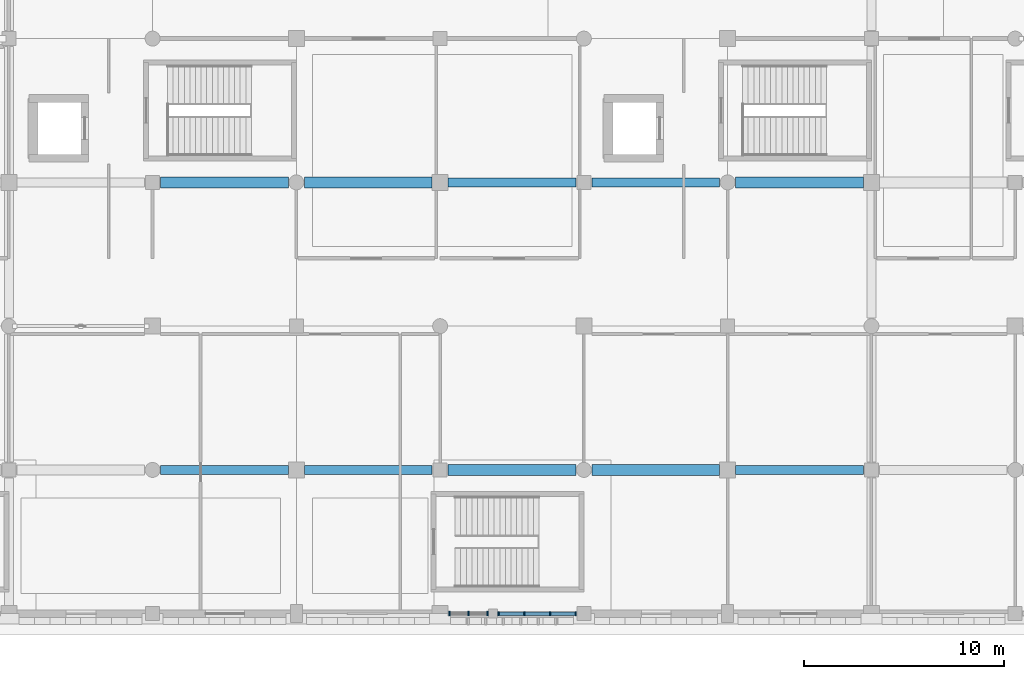
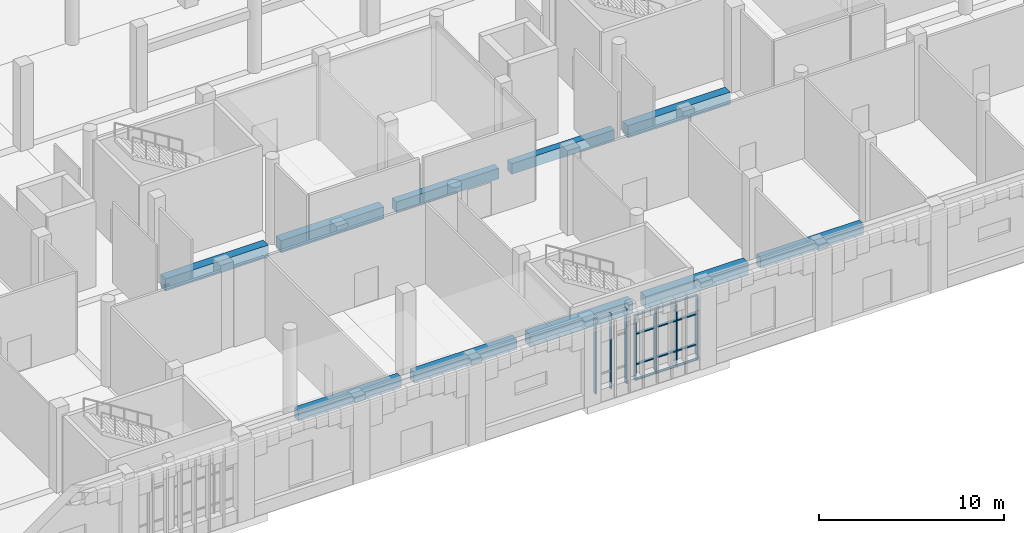
# One storey, part 10 of 85: 19 members, 10 beams, 2 elements without a shape of their own.
"""IFC4 building model written with IfcOpenShell, lengths in metres."""

from ifc_helpers import new_model, si_unit, direction, frame, origin, origin_2d, place, context, subcontext, project, spatial, rectangle, extrude, material, material_profile, profile_set, type_object, element, aggregate, save


model = new_model("IFC4")

# Units and contexts
model_context = context("Model", 3, precision=1e-05, world=origin(), true_north=direction((0.0, 1.0)))
body_context = subcontext(model_context, "Body", "Model", "MODEL_VIEW")
ifc_project = project(units=[si_unit("LENGTHUNIT", "METRE"), si_unit("AREAUNIT", "SQUARE_METRE"), si_unit("VOLUMEUNIT", "CUBIC_METRE"), si_unit("PLANEANGLEUNIT", "RADIAN"), si_unit("MASSUNIT", "GRAM", prefix="KILO")], contexts=[model_context])

# Site, building, storey
site_placement = place(None, origin())
site = spatial("IfcSite", under=ifc_project, at=site_placement, CompositionType="ELEMENT")
building_placement = place(site_placement, origin())
building = spatial("IfcBuilding", under=site, at=building_placement, Name="Sardonyx Promenade Sports Hall", CompositionType="ELEMENT")
storey_placement = place(building_placement, origin())
storey = spatial("IfcBuildingStorey", under=building, at=storey_placement, Name="L00", CompositionType="ELEMENT", Elevation=0.0)

# Beams
ifc_material_1 = material(Name="Concrete C40/50", Category="concrete")
ifc_material_profile_1 = material_profile(ifc_material_1, rectangle(XDim=0.550048828125, YDim=0.800048828125, at=origin_2d()))
ifc_profile_set_1 = profile_set([ifc_material_profile_1], Name="Concrete C40/50")
beam_type_1 = type_object("IfcBeamType", Name="Bm_Girder_RC800", PredefinedType="BEAM", material=ifc_profile_set_1)
for number, where, z_axis, x_axis, name in (
    (1, (43.60009765625, 7.199951171875, -0.39990234375), (1.0, 0.0, 0.0), (0.0, 1.0, 0.0), "Beam BG04 L00 #60"),
    (2, (50.800048828125, 7.199951171875, -0.39990234375), (1.0, 0.0, 0.0), (0.0, 1.0, 0.0), "Beam BG04 L00 #61"),
):
    element("IfcBeam", number, at=place(storey_placement, frame(where, z_axis=z_axis, x_axis=x_axis)), inside=storey, type_object=beam_type_1, Name=name, PredefinedType="BEAM", context=body_context, shape_type="SweptSolid", body=[
        extrude(rectangle(XDim=0.550048828125, YDim=0.800048828125, at=origin_2d()), origin(), (0.0, 0.0, 1.0), 6.39990234375),
    ])
for number, where, z_axis, x_axis, name in (
    (3, (29.199951171875, 21.60009765625, -0.39990234375), (1.0, 0.0, 0.0), (0.0, 1.0, 0.0), "Beam BG04 L00 #81"),
    (4, (36.39990234375, 21.60009765625, -0.39990234375), (1.0, 0.0, 0.0), (0.0, 1.0, 0.0), "Beam BG04 L00 #82"),
):
    element("IfcBeam", number, at=place(storey_placement, frame(where, z_axis=z_axis, x_axis=x_axis)), inside=storey, type_object=beam_type_1, Name=name, PredefinedType="BEAM", context=body_context, shape_type="SweptSolid", body=[
        extrude(rectangle(XDim=0.550048828125, YDim=0.800048828125, at=origin_2d()), origin(), (0.0, 0.0, 1.0), 6.400146484375),
    ])
beam_placement = place(storey_placement, frame((58.0, 21.60009765625, -0.39990234375), z_axis=(1.0, 0.0, 0.0), x_axis=(0.0, 1.0, 0.0)))
element("IfcBeam", 5, at=beam_placement, inside=storey, type_object=beam_type_1, Name="Beam BG04 L00 #85", PredefinedType="BEAM", context=body_context, shape_type="SweptSolid", body=[
    extrude(rectangle(XDim=0.550048828125, YDim=0.800048828125, at=origin_2d()), origin(), (0.0, 0.0, 1.0), 6.39990234375),
])
ifc_material_2 = material(Name="Concrete C40/50", Category="concrete")
ifc_material_profile_2 = material_profile(ifc_material_2, rectangle(XDim=0.449951171875, YDim=0.699951171875, at=origin_2d()))
ifc_profile_set_2 = profile_set([ifc_material_profile_2], Name="Concrete C40/50")
beam_type_2 = type_object("IfcBeamType", Name="Bm_Primary_RC700", PredefinedType="BEAM", material=ifc_profile_set_2)
for number, where, z_axis, x_axis, name in (
    (6, (29.199951171875, 7.199951171875, -0.35009765625), (1.0, 0.0, 0.0), (0.0, 1.0, 0.0), "Beam BG01 L00 #58"),
    (7, (36.39990234375, 7.199951171875, -0.35009765625), (1.0, 0.0, 0.0), (0.0, 1.0, 0.0), "Beam BG01 L00 #59"),
):
    element("IfcBeam", number, at=place(storey_placement, frame(where, z_axis=z_axis, x_axis=x_axis)), inside=storey, type_object=beam_type_2, Name=name, PredefinedType="BEAM", context=body_context, shape_type="SweptSolid", body=[
        extrude(rectangle(XDim=0.449951171875, YDim=0.699951171875, at=origin_2d()), origin(), (0.0, 0.0, 1.0), 6.400146484375),
    ])
for number, where, z_axis, x_axis, name in (
    (8, (58.0, 7.199951171875, -0.35009765625), (1.0, 0.0, 0.0), (0.0, 1.0, 0.0), "Beam BG01 L00 #62"),
    (9, (43.60009765625, 21.60009765625, -0.35009765625), (1.0, 0.0, 0.0), (0.0, 1.0, 0.0), "Beam BG01 L00 #83"),
    (10, (50.800048828125, 21.60009765625, -0.35009765625), (1.0, 0.0, 0.0), (0.0, 1.0, 0.0), "Beam BG01 L00 #84"),
):
    element("IfcBeam", number, at=place(storey_placement, frame(where, z_axis=z_axis, x_axis=x_axis)), inside=storey, type_object=beam_type_2, Name=name, PredefinedType="BEAM", context=body_context, shape_type="SweptSolid", body=[
        extrude(rectangle(XDim=0.449951171875, YDim=0.699951171875, at=origin_2d()), origin(), (0.0, 0.0, 1.0), 6.39990234375),
    ])

# Curtain wall, members
ifc_material_3 = material(Name="Aluminium 6063-T6", Category="aluminium")
curtain_wall_type_1 = type_object("IfcCurtainWallType", Name="CW_South_L00_640", PredefinedType="USERDEFINED", material=ifc_material_3)
curtain_wall_1_placement = place(storey_placement, origin())
curtain_wall_1 = element("IfcCurtainWall", 11, at=curtain_wall_1_placement, inside=storey, type_object=curtain_wall_type_1, Name="Curtain wall CW11 cw:L00:013", ObjectType="CURTAIN WALL", PredefinedType="USERDEFINED")
ifc_material_4 = material(Name="Aluminium 6063-T6", Category="aluminium")
ifc_material_profile_3 = material_profile(ifc_material_4, rectangle(XDim=0.070068359375, YDim=0.199951171875, at=origin_2d()))
ifc_profile_set_3 = profile_set([ifc_material_profile_3], Name="Aluminium 6063-T6")
member_type_1 = type_object("IfcMemberType", Name="CW_Mull_200", PredefinedType="MULLION", material=ifc_profile_set_3)
member_1_placement = place(storey_placement, frame((49.9951171875, 0.0, 0.35009765625), z_axis=(0.0, 0.0, 1.0), x_axis=(-1.0, 0.0, 0.0)))
member_1 = element("IfcMember", 12, at=member_1_placement, type_object=member_type_1, Name="Mullion CM03 cw:L00:013 #1", PredefinedType="MULLION", context=body_context, shape_type="SweptSolid", body=[
    extrude(rectangle(XDim=0.070068359375, YDim=0.199951171875, at=origin_2d()), origin(), (0.0, 0.0, 1.0), 4.2998046875),
])
member_2_placement = place(storey_placement, frame((48.706787109375, 0.0, 0.35009765625), z_axis=(0.0, 0.0, 1.0), x_axis=(-1.0, 0.0, 0.0)))
member_2 = element("IfcMember", 13, at=member_2_placement, type_object=member_type_1, Name="Mullion CM03 cw:L00:013 #2", PredefinedType="MULLION", context=body_context, shape_type="SweptSolid", body=[
    extrude(rectangle(XDim=0.070068359375, YDim=0.199951171875, at=origin_2d()), origin(), (0.0, 0.0, 1.0), 4.2998046875),
])
member_3_placement = place(storey_placement, frame((47.418212890625, 0.0, 0.35009765625), z_axis=(0.0, 0.0, 1.0), x_axis=(-1.0, 0.0, 0.0)))
member_3 = element("IfcMember", 14, at=member_3_placement, type_object=member_type_1, Name="Mullion CM03 cw:L00:013 #3", PredefinedType="MULLION", context=body_context, shape_type="SweptSolid", body=[
    extrude(rectangle(XDim=0.070068359375, YDim=0.199951171875, at=origin_2d()), origin(), (0.0, 0.0, 1.0), 4.2998046875),
])
member_4_placement = place(storey_placement, frame((46.1298828125, 0.0, 0.35009765625), z_axis=(0.0, 0.0, 1.0), x_axis=(-1.0, 0.0, 0.0)))
member_4 = element("IfcMember", 15, at=member_4_placement, type_object=member_type_1, Name="Mullion CM03 cw:L00:013 #4", PredefinedType="MULLION", context=body_context, shape_type="SweptSolid", body=[
    extrude(rectangle(XDim=0.070068359375, YDim=0.199951171875, at=origin_2d()), origin(), (0.0, 0.0, 1.0), 4.2998046875),
])

ifc_material_5 = material(Name="Aluminium 6063-T6", Category="aluminium")
curtain_wall_type_2 = type_object("IfcCurtainWallType", Name="CW_Foyer_Pilaster_L00", PredefinedType="USERDEFINED", material=ifc_material_5)
curtain_wall_2_placement = place(storey_placement, origin())
curtain_wall_2 = element("IfcCurtainWall", 16, at=curtain_wall_2_placement, inside=storey, type_object=curtain_wall_type_2, Name="Curtain wall CW20 cw:L00:014", ObjectType="CURTAIN WALL", PredefinedType="USERDEFINED")
ifc_material_6 = material(Name="Aluminium 6063-T6", Category="aluminium")
ifc_material_profile_4 = material_profile(ifc_material_6, rectangle(XDim=0.074951171875, YDim=0.22509765625, at=origin_2d()))
ifc_profile_set_4 = profile_set([ifc_material_profile_4], Name="Aluminium 6063-T6")
member_type_2 = type_object("IfcMemberType", Name="CW_Mull_225", PredefinedType="MULLION", material=ifc_profile_set_4)
member_5_placement = place(storey_placement, frame((45.5673828125, 0.0, 0.35009765625), z_axis=(0.0, 0.0, 1.0), x_axis=(-1.0, 0.0, 0.0)))
member_5 = element("IfcMember", 17, at=member_5_placement, type_object=member_type_2, Name="Mullion CM04 cw:L00:014 #1", PredefinedType="MULLION", context=body_context, shape_type="SweptSolid", body=[
    extrude(rectangle(XDim=0.074951171875, YDim=0.22509765625, at=origin_2d()), origin(), (0.0, 0.0, 1.0), 4.949951171875),
])
member_6_placement = place(storey_placement, frame((44.612548828125, 0.0, 0.35009765625), z_axis=(0.0, 0.0, 1.0), x_axis=(-1.0, 0.0, 0.0)))
member_6 = element("IfcMember", 18, at=member_6_placement, type_object=member_type_2, Name="Mullion CM04 cw:L00:014 #2", PredefinedType="MULLION", context=body_context, shape_type="SweptSolid", body=[
    extrude(rectangle(XDim=0.074951171875, YDim=0.22509765625, at=origin_2d()), origin(), (0.0, 0.0, 1.0), 4.949951171875),
])
member_7_placement = place(storey_placement, frame((43.657470703125, 0.0, 0.35009765625), z_axis=(0.0, 0.0, 1.0), x_axis=(-1.0, 0.0, 0.0)))
member_7 = element("IfcMember", 19, at=member_7_placement, type_object=member_type_2, Name="Mullion CM04 cw:L00:014 #3", PredefinedType="MULLION", context=body_context, shape_type="SweptSolid", body=[
    extrude(rectangle(XDim=0.074951171875, YDim=0.22509765625, at=origin_2d()), origin(), (0.0, 0.0, 1.0), 4.949951171875),
])
aggregate(curtain_wall_2, [member_5, member_6, member_7])

# Member
ifc_material_7 = material(Name="Aluminium 6063-T6", Category="aluminium")
ifc_material_profile_5 = material_profile(ifc_material_7, rectangle(XDim=0.070068359375, YDim=0.159912109375, at=origin_2d()))
ifc_profile_set_5 = profile_set([ifc_material_profile_5], Name="Aluminium 6063-T6")
member_type_3 = type_object("IfcMemberType", Name="CW_Tran_160", PredefinedType="USERDEFINED", material=ifc_profile_set_5)
member_8_placement = place(storey_placement, frame((49.9599609375, 0.0, 0.385009765625), z_axis=(-1.0, 0.0, 0.0), x_axis=(0.0, 0.0, 1.0)))
member_8 = element("IfcMember", 20, at=member_8_placement, type_object=member_type_3, Name="Transom CT03 cw:L00:013 #1", ObjectType="TRANSOM", PredefinedType="USERDEFINED", context=body_context, shape_type="SweptSolid", body=[
    extrude(rectangle(XDim=0.070068359375, YDim=0.159912109375, at=origin_2d()), origin(), (0.0, 0.0, 1.0), 1.21826171875),
])

member_9_placement = place(storey_placement, frame((49.9599609375, 0.0, 1.39990234375), z_axis=(-1.0, 0.0, 0.0), x_axis=(0.0, 0.0, 1.0)))
member_9 = element("IfcMember", 21, at=member_9_placement, type_object=member_type_3, Name="Transom CT03 cw:L00:013 #2", ObjectType="TRANSOM", PredefinedType="USERDEFINED", context=body_context, shape_type="SweptSolid", body=[
    extrude(rectangle(XDim=0.070068359375, YDim=0.159912109375, at=origin_2d()), origin(), (0.0, 0.0, 1.0), 1.21826171875),
])

member_10_placement = place(storey_placement, frame((49.9599609375, 0.0, 3.39990234375), z_axis=(-1.0, 0.0, 0.0), x_axis=(0.0, 0.0, 1.0)))
member_10 = element("IfcMember", 22, at=member_10_placement, type_object=member_type_3, Name="Transom CT03 cw:L00:013 #3", ObjectType="TRANSOM", PredefinedType="USERDEFINED", context=body_context, shape_type="SweptSolid", body=[
    extrude(rectangle(XDim=0.070068359375, YDim=0.159912109375, at=origin_2d()), origin(), (0.0, 0.0, 1.0), 1.21826171875),
])

member_11_placement = place(storey_placement, frame((49.9599609375, 0.0, 4.614990234375), z_axis=(-1.0, 0.0, 0.0), x_axis=(0.0, 0.0, 1.0)))
member_11 = element("IfcMember", 23, at=member_11_placement, type_object=member_type_3, Name="Transom CT03 cw:L00:013 #4", ObjectType="TRANSOM", PredefinedType="USERDEFINED", context=body_context, shape_type="SweptSolid", body=[
    extrude(rectangle(XDim=0.070068359375, YDim=0.159912109375, at=origin_2d()), origin(), (0.0, 0.0, 1.0), 1.21826171875),
])

member_12_placement = place(storey_placement, frame((48.671630859375, 0.0, 0.385009765625), z_axis=(-1.0, 0.0, 0.0), x_axis=(0.0, 0.0, 1.0)))
member_12 = element("IfcMember", 24, at=member_12_placement, type_object=member_type_3, Name="Transom CT03 cw:L00:013 #5", ObjectType="TRANSOM", PredefinedType="USERDEFINED", context=body_context, shape_type="SweptSolid", body=[
    extrude(rectangle(XDim=0.070068359375, YDim=0.159912109375, at=origin_2d()), origin(), (0.0, 0.0, 1.0), 1.21826171875),
])

member_13_placement = place(storey_placement, frame((48.671630859375, 0.0, 1.39990234375), z_axis=(-1.0, 0.0, 0.0), x_axis=(0.0, 0.0, 1.0)))
member_13 = element("IfcMember", 25, at=member_13_placement, type_object=member_type_3, Name="Transom CT03 cw:L00:013 #6", ObjectType="TRANSOM", PredefinedType="USERDEFINED", context=body_context, shape_type="SweptSolid", body=[
    extrude(rectangle(XDim=0.070068359375, YDim=0.159912109375, at=origin_2d()), origin(), (0.0, 0.0, 1.0), 1.21826171875),
])

member_14_placement = place(storey_placement, frame((48.671630859375, 0.0, 3.39990234375), z_axis=(-1.0, 0.0, 0.0), x_axis=(0.0, 0.0, 1.0)))
member_14 = element("IfcMember", 26, at=member_14_placement, type_object=member_type_3, Name="Transom CT03 cw:L00:013 #7", ObjectType="TRANSOM", PredefinedType="USERDEFINED", context=body_context, shape_type="SweptSolid", body=[
    extrude(rectangle(XDim=0.070068359375, YDim=0.159912109375, at=origin_2d()), origin(), (0.0, 0.0, 1.0), 1.21826171875),
])

member_15_placement = place(storey_placement, frame((48.671630859375, 0.0, 4.614990234375), z_axis=(-1.0, 0.0, 0.0), x_axis=(0.0, 0.0, 1.0)))
member_15 = element("IfcMember", 27, at=member_15_placement, type_object=member_type_3, Name="Transom CT03 cw:L00:013 #8", ObjectType="TRANSOM", PredefinedType="USERDEFINED", context=body_context, shape_type="SweptSolid", body=[
    extrude(rectangle(XDim=0.070068359375, YDim=0.159912109375, at=origin_2d()), origin(), (0.0, 0.0, 1.0), 1.21826171875),
])

member_16_placement = place(storey_placement, frame((47.38330078125, 0.0, 0.385009765625), z_axis=(-1.0, 0.0, 0.0), x_axis=(0.0, 0.0, 1.0)))
member_16 = element("IfcMember", 28, at=member_16_placement, type_object=member_type_3, Name="Transom CT03 cw:L00:013 #9", ObjectType="TRANSOM", PredefinedType="USERDEFINED", context=body_context, shape_type="SweptSolid", body=[
    extrude(rectangle(XDim=0.070068359375, YDim=0.159912109375, at=origin_2d()), origin(), (0.0, 0.0, 1.0), 1.21826171875),
])

member_17_placement = place(storey_placement, frame((47.38330078125, 0.0, 1.39990234375), z_axis=(-1.0, 0.0, 0.0), x_axis=(0.0, 0.0, 1.0)))
member_17 = element("IfcMember", 29, at=member_17_placement, type_object=member_type_3, Name="Transom CT03 cw:L00:013 #10", ObjectType="TRANSOM", PredefinedType="USERDEFINED", context=body_context, shape_type="SweptSolid", body=[
    extrude(rectangle(XDim=0.070068359375, YDim=0.159912109375, at=origin_2d()), origin(), (0.0, 0.0, 1.0), 1.21826171875),
])

member_18_placement = place(storey_placement, frame((47.38330078125, 0.0, 3.39990234375), z_axis=(-1.0, 0.0, 0.0), x_axis=(0.0, 0.0, 1.0)))
member_18 = element("IfcMember", 30, at=member_18_placement, type_object=member_type_3, Name="Transom CT03 cw:L00:013 #11", ObjectType="TRANSOM", PredefinedType="USERDEFINED", context=body_context, shape_type="SweptSolid", body=[
    extrude(rectangle(XDim=0.070068359375, YDim=0.159912109375, at=origin_2d()), origin(), (0.0, 0.0, 1.0), 1.21826171875),
])

member_19_placement = place(storey_placement, frame((47.38330078125, 0.0, 4.614990234375), z_axis=(-1.0, 0.0, 0.0), x_axis=(0.0, 0.0, 1.0)))
member_19 = element("IfcMember", 31, at=member_19_placement, type_object=member_type_3, Name="Transom CT03 cw:L00:013 #12", ObjectType="TRANSOM", PredefinedType="USERDEFINED", context=body_context, shape_type="SweptSolid", body=[
    extrude(rectangle(XDim=0.070068359375, YDim=0.159912109375, at=origin_2d()), origin(), (0.0, 0.0, 1.0), 1.21826171875),
])

aggregate(curtain_wall_1, [member_1, member_2, member_3, member_4, member_8, member_9, member_10, member_11, member_12, member_13, member_14, member_15, member_16, member_17, member_18, member_19])

save(model, "model.ifc")
